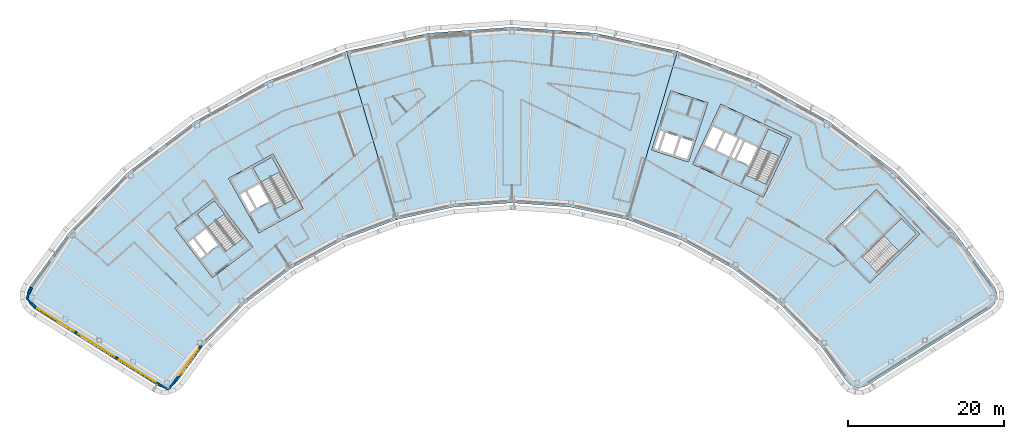
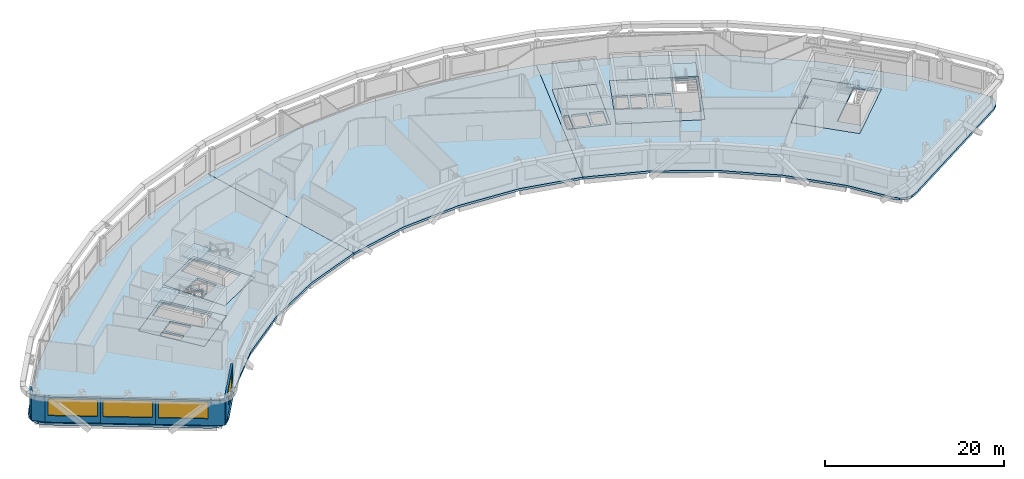
# One storey, part 4 of 17: 12 slabs, 6 walls, 4 windows, 4 openings, 4 elements without a shape of their own.
"""IFC4 building model written with IfcOpenShell, lengths in metres."""

from ifc_helpers import new_model, si_unit, direction, frame, frame_2d, origin, place, context, subcontext, project, spatial, polyline, rectangle, outline, extrude, material, layer, layer_set, type_object, element, fill, aggregate, save


model = new_model("IFC4")

# Units and contexts
model_context = context("Model", 3, precision=1e-05, world=origin(), true_north=direction((0.0, 1.0)))
body_context = subcontext(model_context, "Body", "Model", "MODEL_VIEW")
ifc_project = project(units=[si_unit("LENGTHUNIT", "METRE"), si_unit("AREAUNIT", "SQUARE_METRE"), si_unit("VOLUMEUNIT", "CUBIC_METRE"), si_unit("PLANEANGLEUNIT", "RADIAN"), si_unit("MASSUNIT", "GRAM", prefix="KILO")], contexts=[model_context])

# Site, building, storey
site_placement = place(None, origin())
site = spatial("IfcSite", under=ifc_project, at=site_placement, CompositionType="ELEMENT")
building_placement = place(site_placement, origin())
building = spatial("IfcBuilding", under=site, at=building_placement, Name="Tuul Gate Civic Tower", CompositionType="ELEMENT")
storey_placement = place(building_placement, frame((0.0, 0.0, 344.89990234375)))
storey = spatial("IfcBuildingStorey", under=building, at=storey_placement, Name="Level 78", CompositionType="ELEMENT", Elevation=344.89990234375)

# Slabs
ifc_material_1 = material(Name="Concrete C40/50", Category="concrete")
ifc_layer_1 = layer(ifc_material_1, 0.300048828125)
ifc_layer_set_1 = layer_set([ifc_layer_1], Name="Concrete C40/50")
slab_type_1 = type_object("IfcSlabType", Name="Core floor slab 300", PredefinedType="FLOOR", material=ifc_layer_set_1)
slab_1_placement = place(storey_placement, frame((0.0, 0.0, -0.2998046875)))
element("IfcSlab", 1, at=slab_1_placement, inside=storey, type_object=slab_type_1, Name="FLOOR SLAB", PredefinedType="FLOOR", context=body_context, shape_type="SweptSolid", body=[
    extrude(outline(polyline([(-31.10009765625, -13.7890625), (-35.946044921875, -7.423828125), (-41.11767578125, -11.361572265625), (-36.271484375, -17.726806640625), (-31.10009765625, -13.7890625)]), holes=[polyline([(-35.561767578125, -13.541259765625), (-37.1064453125, -11.512451171875), (-38.498779296875, -12.572509765625), (-36.9541015625, -14.6015625), (-35.561767578125, -13.541259765625)]), polyline([(-37.19287109375, -14.783203125), (-38.737548828125, -12.75439453125), (-39.45361328125, -13.299560546875), (-37.908935546875, -15.328369140625), (-37.19287109375, -14.783203125)]), polyline([(-32.33935546875, -12.65771484375), (-34.56591796875, -14.352783203125), (-38.229736328125, -9.54052734375), (-36.003173828125, -7.845458984375), (-32.33935546875, -12.65771484375)])]), origin(), (0.0, 0.0, 1.0), 0.2998046875),
])
slab_2_placement = place(storey_placement, frame((0.0, 0.0, -0.2998046875)))
element("IfcSlab", 2, at=slab_2_placement, inside=storey, type_object=slab_type_1, Name="FLOOR SLAB", PredefinedType="FLOOR", context=body_context, shape_type="SweptSolid", body=[
    extrude(outline(polyline([(-24.638916015625, -8.846923828125), (-28.51708984375, -1.849853515625), (-34.2021484375, -5.0009765625), (-30.32421875, -11.998046875), (-24.638916015625, -8.846923828125)]), holes=[polyline([(-29.0185546875, -7.958740234375), (-30.254638671875, -5.728515625), (-31.785400390625, -6.576904296875), (-30.54931640625, -8.80712890625), (-29.0185546875, -7.958740234375)]), polyline([(-30.8115234375, -8.95263671875), (-32.047607421875, -6.72216796875), (-32.8349609375, -7.158447265625), (-31.5986328125, -9.388916015625), (-30.8115234375, -8.95263671875)]), polyline([(-25.702392578125, -7.548828125), (-28.14990234375, -8.905517578125), (-31.08203125, -3.615234375), (-28.63427734375, -2.2587890625), (-25.702392578125, -7.548828125)])]), origin(), (0.0, 0.0, 1.0), 0.2998046875),
])
slab_3_placement = place(storey_placement, frame((0.0, 0.0, -0.2998046875)))
element("IfcSlab", 3, at=slab_3_placement, inside=storey, type_object=slab_type_1, Name="FLOOR SLAB", PredefinedType="FLOOR", context=body_context, shape_type="SweptSolid", body=[
    extrude(outline(polyline([(48.117919921875, -18.43310546875), (54.545166015625, -12.1328125), (48.945068359375, -6.419921875), (42.517822265625, -12.719970703125), (48.117919921875, -18.43310546875)]), holes=[polyline([(44.93896484375, -11.046875), (46.760009765625, -9.261962890625), (46.514892578125, -9.011962890625), (44.69384765625, -10.797119140625), (44.93896484375, -11.046875)]), polyline([(49.086181640625, -17.062744140625), (47.12744140625, -15.064208984375), (52.160888671875, -10.130126953125), (54.11962890625, -12.128662109375), (49.086181640625, -17.062744140625)])]), origin(), (0.0, 0.0, 1.0), 0.2998046875),
])
slab_4_placement = place(storey_placement, frame((0.0, 0.0, -0.2998046875)))
element("IfcSlab", 4, at=slab_4_placement, inside=storey, type_object=slab_type_1, Name="FLOOR SLAB", PredefinedType="FLOOR", context=body_context, shape_type="SweptSolid", body=[
    extrude(outline(polyline([(34.465087890625, -7.385986328125), (38.056884765625, 0.31787109375), (28.993896484375, 4.543701171875), (25.40185546875, -3.159912109375), (34.465087890625, -7.385986328125)]), holes=[polyline([(32.60888671875, -3.32080078125), (33.6865234375, -1.009765625), (32.1005859375, -0.27001953125), (31.02294921875, -2.581298828125), (32.60888671875, -3.32080078125)]), polyline([(30.0712890625, -2.137451171875), (31.14892578125, 0.173583984375), (29.562744140625, 0.9130859375), (28.4853515625, -1.39794921875), (30.0712890625, -2.137451171875)]), polyline([(30.751220703125, -2.454345703125), (31.82861328125, -0.143310546875), (31.4208984375, 0.046875), (30.34326171875, -2.264404296875), (30.751220703125, -2.454345703125)]), polyline([(28.21337890625, -1.27099609375), (29.291015625, 1.0400390625), (27.8408203125, 1.71630859375), (26.76318359375, -0.594970703125), (28.21337890625, -1.27099609375)]), polyline([(34.889892578125, -5.7626953125), (32.353759765625, -4.580078125), (35.120849609375, 1.354736328125), (37.6572265625, 0.17236328125), (34.889892578125, -5.7626953125)])]), origin(), (0.0, 0.0, 1.0), 0.2998046875),
])
ifc_material_2 = material(Name="Concrete C40/50", Category="concrete")
ifc_layer_2 = layer(ifc_material_2, 0.300048828125)
ifc_layer_set_2 = layer_set([ifc_layer_2], Name="Concrete C40/50")
slab_type_2 = type_object("IfcSlabType", Name="Core floor slab 300 non-bearing", PredefinedType="FLOOR", material=ifc_layer_set_2)
slab_5_placement = place(storey_placement, frame((0.0, 0.0, -0.2998046875)))
element("IfcSlab", 5, at=slab_5_placement, inside=storey, type_object=slab_type_2, Name="FLOOR SLAB", PredefinedType="FLOOR", context=body_context, shape_type="SweptSolid", body=[
    extrude(outline(polyline([(24.864990234375, -2.888916015625), (27.337890625, 4.71923828125), (22.58251953125, 6.264404296875), (20.109619140625, -1.343994140625), (24.864990234375, -2.888916015625)]), holes=[polyline([(24.67236328125, -2.510986328125), (25.414306640625, -0.228515625), (23.892578125, 0.265869140625), (23.150634765625, -2.0166015625), (24.67236328125, -2.510986328125)]), polyline([(22.865478515625, -1.923828125), (23.607177734375, 0.358642578125), (21.94287109375, 0.8994140625), (21.201171875, -1.383056640625), (22.865478515625, -1.923828125)]), polyline([(20.869384765625, -1.43310546875), (21.65771484375, 0.9921875), (21.0869140625, 1.177490234375), (20.298583984375, -1.24755859375), (20.869384765625, -1.43310546875)])]), origin(), (0.0, 0.0, 1.0), 0.2998046875),
])

# Stair, slab
ifc_material_3 = material(Name="Concrete C40/50", Category="concrete")
stair_type = type_object("IfcStairType", Name="Exit stair", PredefinedType="HALF_TURN_STAIR", material=ifc_material_3)
stair_1_placement = place(storey_placement, origin())
stair_1 = element("IfcStair", 6, at=stair_1_placement, inside=storey, type_object=stair_type, Name="Level 78 ST-1", PredefinedType="HALF_TURN_STAIR")
ifc_material_4 = material(Name="Concrete C40/50", Category="concrete")
ifc_layer_3 = layer(ifc_material_4, 0.199951171875)
ifc_layer_set_3 = layer_set([ifc_layer_3], Name="Concrete C40/50")
slab_type_3 = type_object("IfcSlabType", Name="Exit stair landing", PredefinedType="LANDING", material=ifc_layer_set_3)
slab_6_placement = place(storey_placement, frame((0.0, 0.0, 1.900146484375)))
slab_6 = element("IfcSlab", 7, at=slab_6_placement, type_object=slab_type_3, Name="ST-1 landing 1", PredefinedType="LANDING", context=body_context, shape_type="SweptSolid", body=[
    extrude(outline(polyline([(-34.699462890625, -9.554931640625), (-36.9287109375, -11.252197265625), (-38.23193359375, -9.540283203125), (-36.0029296875, -7.843017578125), (-34.699462890625, -9.554931640625)])), origin(), (0.0, 0.0, 1.0), 0.199951171875),
])
aggregate(stair_1, [slab_6])

stair_2_placement = place(storey_placement, origin())
stair_2 = element("IfcStair", 8, at=stair_2_placement, inside=storey, type_object=stair_type, Name="Level 78 ST-2", PredefinedType="HALF_TURN_STAIR")
slab_7_placement = place(storey_placement, frame((0.0, 0.0, 1.900146484375)))
slab_7 = element("IfcSlab", 9, at=slab_7_placement, type_object=slab_type_3, Name="ST-2 landing 1", PredefinedType="LANDING", context=body_context, shape_type="SweptSolid", body=[
    extrude(outline(polyline([(-27.5908203125, -4.138427734375), (-30.041015625, -5.49658203125), (-31.084228515625, -3.61474609375), (-28.6337890625, -2.256591796875), (-27.5908203125, -4.138427734375)])), origin(), (0.0, 0.0, 1.0), 0.199951171875),
])
aggregate(stair_2, [slab_7])

stair_3_placement = place(storey_placement, origin())
stair_3 = element("IfcStair", 10, at=stair_3_placement, inside=storey, type_object=stair_type, Name="Level 78 ST-3", PredefinedType="HALF_TURN_STAIR")
slab_8_placement = place(storey_placement, frame((0.0, 0.0, 1.900146484375)))
slab_8 = element("IfcSlab", 11, at=slab_8_placement, type_object=slab_type_3, Name="ST-3 landing 1", PredefinedType="LANDING", context=body_context, shape_type="SweptSolid", body=[
    extrude(outline(polyline([(51.871337890625, -14.3349609375), (49.91015625, -12.334228515625), (52.160888671875, -10.1279296875), (54.1220703125, -12.128662109375), (51.871337890625, -14.3349609375)])), origin(), (0.0, 0.0, 1.0), 0.199951171875),
])
aggregate(stair_3, [slab_8])

stair_4_placement = place(storey_placement, origin())
stair_4 = element("IfcStair", 12, at=stair_4_placement, inside=storey, type_object=stair_type, Name="Level 78 ST-4", PredefinedType="HALF_TURN_STAIR")
slab_9_placement = place(storey_placement, frame((0.0, 0.0, 1.900146484375)))
slab_9 = element("IfcSlab", 13, at=slab_9_placement, type_object=slab_type_3, Name="ST-4 landing 1", PredefinedType="LANDING", context=body_context, shape_type="SweptSolid", body=[
    extrude(outline(polyline([(36.538818359375, -2.230224609375), (33.999755859375, -1.046142578125), (35.1201171875, 1.35693359375), (37.659423828125, 0.173095703125), (36.538818359375, -2.230224609375)])), origin(), (0.0, 0.0, 1.0), 0.199951171875),
])
aggregate(stair_4, [slab_9])

# Slabs
ifc_material_5 = material(Name="Concrete C35/45", Category="concrete")
ifc_layer_4 = layer(ifc_material_5, 0.300048828125)
ifc_layer_set_4 = layer_set([ifc_layer_4], Name="Concrete C35/45")
slab_type_4 = type_object("IfcSlabType", Name="STR-FLOOR-SLAB-300", PredefinedType="FLOOR", material=ifc_layer_set_4)
slab_10_placement = place(storey_placement, frame((0.0, 0.0, -0.2998046875)))
element("IfcSlab", 14, at=slab_10_placement, inside=storey, type_object=slab_type_4, Name="Level 78/slab/W", PredefinedType="FLOOR", context=body_context, shape_type="SweptSolid", body=[
    extrude(outline(polyline([(-19.64208984375, -12.94189453125), (-12.6220703125, -10.287109375), (-19.055908203125, 11.3349609375), (-29.125, 7.528076171875), (-38.5390625, 2.30908203125), (-47.10400390625, -4.2119140625), (-54.638916015625, -11.89892578125), (-59.718994140625, -18.85498046875), (-60.055908203125, -19.597900390625), (-60.068115234375, -20.4140625), (-59.7529296875, -21.1669921875), (-59.1640625, -21.73095703125), (-43.43408203125, -31.56005859375), (-42.739990234375, -31.830078125), (-41.9951171875, -31.827880859375), (-41.302978515625, -31.552978515625), (-40.759033203125, -31.0439453125), (-37.429931640625, -26.486083984375), (-32.177001953125, -21.1259765625), (-26.2060546875, -16.580078125), (-19.64208984375, -12.94189453125)]), holes=[polyline([(-31.10009765625, -13.7890625), (-36.27197265625, -17.72705078125), (-41.117919921875, -11.362060546875), (-35.946044921875, -7.424072265625), (-31.10009765625, -13.7890625)]), polyline([(-24.638916015625, -8.846923828125), (-30.323974609375, -11.998046875), (-34.201904296875, -5.0009765625), (-28.51708984375, -1.85009765625), (-24.638916015625, -8.846923828125)])]), origin(), (0.0, 0.0, 1.0), 0.2998046875),
])
slab_11_placement = place(storey_placement, frame((0.0, 0.0, -0.2998046875)))
element("IfcSlab", 15, at=slab_11_placement, inside=storey, type_object=slab_type_4, Name="Level 78/slab/M", PredefinedType="FLOOR", context=body_context, shape_type="SweptSolid", body=[
    extrude(outline(polyline([(17.006103515625, -10.287109375), (23.43994140625, 11.3349609375), (12.927978515625, 13.652099609375), (2.19189453125, 14.428955078125), (-8.5439453125, 13.652099609375), (-19.055908203125, 11.3349609375), (-12.6220703125, -10.287109375), (-5.29296875, -8.672119140625), (2.19189453125, -8.1298828125), (9.677001953125, -8.672119140625), (17.006103515625, -10.287109375)])), origin(), (0.0, 0.0, 1.0), 0.2998046875),
])
slab_12_placement = place(storey_placement, frame((0.0, 0.0, -0.2998046875)))
element("IfcSlab", 16, at=slab_12_placement, inside=storey, type_object=slab_type_4, Name="Level 78/slab/E", PredefinedType="FLOOR", context=body_context, shape_type="SweptSolid", body=[
    extrude(outline(polyline([(47.1240234375, -31.830078125), (47.818115234375, -31.56005859375), (63.548095703125, -21.73095703125), (64.136962890625, -21.1669921875), (64.451904296875, -20.4140625), (64.43994140625, -19.597900390625), (64.10302734375, -18.85498046875), (59.02294921875, -11.89892578125), (51.488037109375, -4.2119140625), (42.923095703125, 2.30908203125), (33.509033203125, 7.528076171875), (23.43994140625, 11.3349609375), (17.006103515625, -10.287109375), (24.02587890625, -12.94189453125), (30.590087890625, -16.580078125), (36.56103515625, -21.1259765625), (41.81396484375, -26.486083984375), (45.14306640625, -31.0439453125), (45.68701171875, -31.552978515625), (46.37890625, -31.827880859375), (47.1240234375, -31.830078125)]), holes=[polyline([(48.117919921875, -18.43310546875), (42.51806640625, -12.719970703125), (48.945068359375, -6.419921875), (54.544921875, -12.133056640625), (48.117919921875, -18.43310546875)]), polyline([(25.402099609375, -3.159912109375), (28.993896484375, 4.5439453125), (38.056884765625, 0.318115234375), (34.465087890625, -7.385986328125), (25.402099609375, -3.159912109375)]), polyline([(20.110107421875, -1.343994140625), (22.58203125, 6.264892578125), (27.337890625, 4.719970703125), (24.864990234375, -2.888916015625), (20.110107421875, -1.343994140625)])]), origin(), (0.0, 0.0, 1.0), 0.2998046875),
])

# Walls
ifc_material_6 = material(Name="Precast concrete C40/50", Category="concrete")
ifc_layer_5 = layer(ifc_material_6, 0.25)
ifc_layer_set_5 = layer_set([ifc_layer_5], Name="Precast concrete C40/50")
wall_type = type_object("IfcWallType", Name="External wall", PredefinedType="STANDARD", material=ifc_layer_set_5)
wall_1_placement = place(storey_placement, frame((-59.484130859375, -18.99560546875, 0.0), z_axis=(0.0, 0.0, 1.0), x_axis=(-0.413463423134, -0.910520728886, 0.0)))
element("IfcWall", 17, at=wall_1_placement, inside=storey, type_object=wall_type, Name="External wall", PredefinedType="STANDARD", context=body_context, shape_type="SweptSolid", body=[
    extrude(rectangle(XDim=1.5712890625, YDim=0.25, at=frame_2d((0.78564453125, 0.0))), origin(), (0.0, 0.0, 1.0), 3.4501953125),
])
wall_2_placement = place(storey_placement, frame((-60.1337890625, -20.42626953125, 0.0), z_axis=(0.0, 0.0, 1.0), x_axis=(0.722162740816, -0.691723193031, 0.0)))
element("IfcWall", 18, at=wall_2_placement, inside=storey, type_object=wall_type, Name="External wall", PredefinedType="STANDARD", context=body_context, shape_type="SweptSolid", body=[
    extrude(rectangle(XDim=1.572021484375, YDim=0.25, at=frame_2d((0.7861328125, 0.0))), origin(), (0.0, 0.0, 1.0), 3.4501953125),
])

# Wall, opening, window
wall_3_placement = place(storey_placement, frame((-59.018798828125, -21.498046875, 0.0), z_axis=(0.0, 0.0, 1.0), x_axis=(0.848053758074, -0.529910203164, 0.0)))
wall_3 = element("IfcWall", 19, at=wall_3_placement, inside=storey, type_object=wall_type, Name="External wall", PredefinedType="STANDARD", context=body_context, shape_type="SweptSolid", body=[
    extrude(rectangle(XDim=6.182861328125, YDim=0.25, at=frame_2d((3.09130859375, 0.0))), origin(), (0.0, 0.0, 1.0), 3.4501953125),
])
opening_1_placement = place(wall_3_placement, frame((0.31640625, 0.0, 0.89990234375)))
opening_1 = element("IfcOpeningElement", 20, at=opening_1_placement, cuts=wall_3, Name="Opening W24", PredefinedType="OPENING", context=body_context, shape_type="SweptSolid", body=[
    extrude(rectangle(XDim=5.550048828125, YDim=2.300048828125, at=frame_2d((2.77490234375, 1.14990234375))), frame((0.0, 0.135009765625, 0.0), z_axis=(0.0, -1.0, 0.0), x_axis=(1.0, 0.0, 0.0)), (0.0, 0.0, 1.0), 0.27001953125),
])
ifc_material_7 = material(Name="Glass", Category="glass")
window_type_1 = type_object("IfcWindowType", Name="Window W24 5550 x 2300", PartitioningType="SINGLE_PANEL", PredefinedType="WINDOW", material=ifc_material_7)
window_1_placement = place(opening_1_placement, origin())
window_1 = element("IfcWindow", 21, at=window_1_placement, inside=storey, type_object=window_type_1, Name="Window", OverallHeight=2.300048828125, OverallWidth=5.550048828125, PartitioningType="SINGLE_PANEL", PredefinedType="WINDOW", context=body_context, shape_type="SweptSolid", body=[
    extrude(rectangle(XDim=5.550048828125, YDim=2.300048828125, at=frame_2d((2.77490234375, 1.14990234375))), frame((0.0, 0.030029296875, 0.0), z_axis=(0.0, -1.0, 0.0), x_axis=(1.0, 0.0, 0.0)), (0.0, 0.0, 1.0), 0.06005859375),
])
fill(opening_1, window_1)

wall_4_placement = place(storey_placement, frame((-53.775390625, -24.7744140625, 0.0), z_axis=(0.0, 0.0, 1.0), x_axis=(0.848053758074, -0.529910203164, 0.0)))
wall_4 = element("IfcWall", 22, at=wall_4_placement, inside=storey, type_object=wall_type, Name="External wall", PredefinedType="STANDARD", context=body_context, shape_type="SweptSolid", body=[
    extrude(rectangle(XDim=6.182861328125, YDim=0.25, at=frame_2d((3.09130859375, 0.0))), origin(), (0.0, 0.0, 1.0), 3.4501953125),
])
opening_2_placement = place(wall_4_placement, frame((0.31640625, 0.0, 0.89990234375)))
opening_2 = element("IfcOpeningElement", 23, at=opening_2_placement, cuts=wall_4, Name="Opening W24", PredefinedType="OPENING", context=body_context, shape_type="SweptSolid", body=[
    extrude(rectangle(XDim=5.550048828125, YDim=2.300048828125, at=frame_2d((2.77490234375, 1.14990234375))), frame((0.0, 0.135009765625, 0.0), z_axis=(0.0, -1.0, 0.0), x_axis=(1.0, 0.0, 0.0)), (0.0, 0.0, 1.0), 0.27001953125),
])
window_2_placement = place(opening_2_placement, origin())
window_2 = element("IfcWindow", 24, at=window_2_placement, inside=storey, type_object=window_type_1, Name="Window", OverallHeight=2.300048828125, OverallWidth=5.550048828125, PartitioningType="SINGLE_PANEL", PredefinedType="WINDOW", context=body_context, shape_type="SweptSolid", body=[
    extrude(rectangle(XDim=5.550048828125, YDim=2.300048828125, at=frame_2d((2.77490234375, 1.14990234375))), frame((0.0, 0.030029296875, 0.0), z_axis=(0.0, -1.0, 0.0), x_axis=(1.0, 0.0, 0.0)), (0.0, 0.0, 1.0), 0.06005859375),
])
fill(opening_2, window_2)

wall_5_placement = place(storey_placement, frame((-48.531982421875, -28.05078125, 0.0), z_axis=(0.0, 0.0, 1.0), x_axis=(0.848061701049, -0.529897491233, 0.0)))
wall_5 = element("IfcWall", 25, at=wall_5_placement, inside=storey, type_object=wall_type, Name="External wall", PredefinedType="STANDARD", context=body_context, shape_type="SweptSolid", body=[
    extrude(rectangle(XDim=7.787841796875, YDim=0.25, at=frame_2d((3.89404296875, 0.0))), origin(), (0.0, 0.0, 1.0), 3.4501953125),
])
opening_3_placement = place(wall_5_placement, frame((0.31640625, 0.0, 0.89990234375)))
opening_3 = element("IfcOpeningElement", 26, at=opening_3_placement, cuts=wall_5, Name="Opening W24", PredefinedType="OPENING", context=body_context, shape_type="SweptSolid", body=[
    extrude(rectangle(XDim=5.550048828125, YDim=2.300048828125, at=frame_2d((2.77490234375, 1.14990234375))), frame((0.0, 0.135009765625, 0.0), z_axis=(0.0, -1.0, 0.0), x_axis=(1.0, 0.0, 0.0)), (0.0, 0.0, 1.0), 0.27001953125),
])
window_3_placement = place(opening_3_placement, origin())
window_3 = element("IfcWindow", 27, at=window_3_placement, inside=storey, type_object=window_type_1, Name="Window", OverallHeight=2.300048828125, OverallWidth=5.550048828125, PartitioningType="SINGLE_PANEL", PredefinedType="WINDOW", context=body_context, shape_type="SweptSolid", body=[
    extrude(rectangle(XDim=5.550048828125, YDim=2.300048828125, at=frame_2d((2.77490234375, 1.14990234375))), frame((0.0, 0.030029296875, 0.0), z_axis=(0.0, -1.0, 0.0), x_axis=(1.0, 0.0, 0.0)), (0.0, 0.0, 1.0), 0.06005859375),
])
fill(opening_3, window_3)

wall_6_placement = place(storey_placement, frame((-41.927490234375, -32.177490234375, 0.0), z_axis=(0.0, 0.0, 1.0), x_axis=(0.589740329834, 0.807592931722, 0.0)))
wall_6 = element("IfcWall", 28, at=wall_6_placement, inside=storey, type_object=wall_type, Name="External wall", PredefinedType="STANDARD", context=body_context, shape_type="SweptSolid", body=[
    extrude(rectangle(XDim=7.15771484375, YDim=0.25, at=frame_2d((3.578857421875, 0.0))), origin(), (0.0, 0.0, 1.0), 3.4501953125),
])
opening_4_placement = place(wall_6_placement, frame((2.357666015625, 0.0, 0.89990234375)))
opening_4 = element("IfcOpeningElement", 29, at=opening_4_placement, cuts=wall_6, Name="Opening W25", PredefinedType="OPENING", context=body_context, shape_type="SweptSolid", body=[
    extrude(rectangle(XDim=4.14990234375, YDim=2.300048828125, at=frame_2d((2.074951171875, 1.14990234375))), frame((0.0, 0.135009765625, 0.0), z_axis=(0.0, -1.0, 0.0), x_axis=(1.0, 0.0, 0.0)), (0.0, 0.0, 1.0), 0.27001953125),
])
ifc_material_8 = material(Name="Glass", Category="glass")
window_type_2 = type_object("IfcWindowType", Name="Window W25 4150 x 2300", PartitioningType="SINGLE_PANEL", PredefinedType="WINDOW", material=ifc_material_8)
window_4_placement = place(opening_4_placement, origin())
window_4 = element("IfcWindow", 30, at=window_4_placement, inside=storey, type_object=window_type_2, Name="Window", OverallHeight=2.300048828125, OverallWidth=4.14990234375, PartitioningType="SINGLE_PANEL", PredefinedType="WINDOW", context=body_context, shape_type="SweptSolid", body=[
    extrude(rectangle(XDim=4.14990234375, YDim=2.300048828125, at=frame_2d((2.074951171875, 1.14990234375))), frame((0.0, 0.030029296875, 0.0), z_axis=(0.0, -1.0, 0.0), x_axis=(1.0, 0.0, 0.0)), (0.0, 0.0, 1.0), 0.06005859375),
])
fill(opening_4, window_4)

save(model, "model.ifc")
